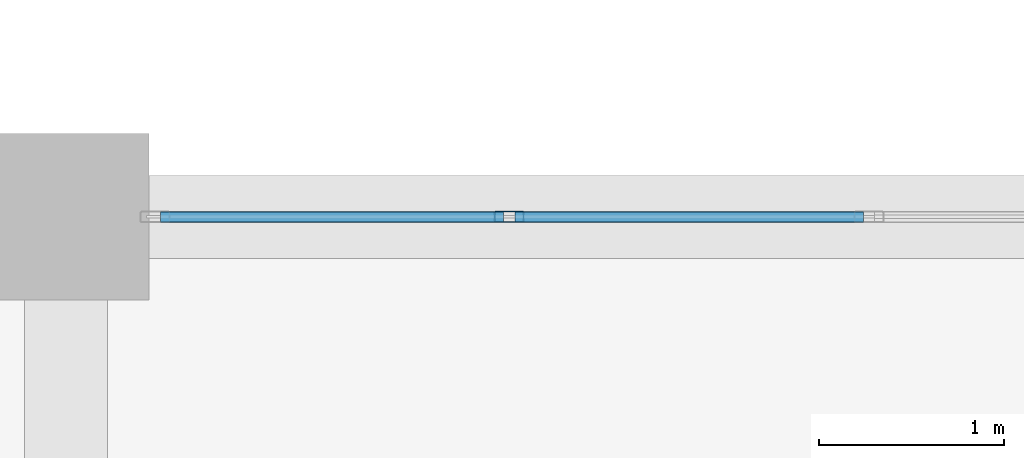
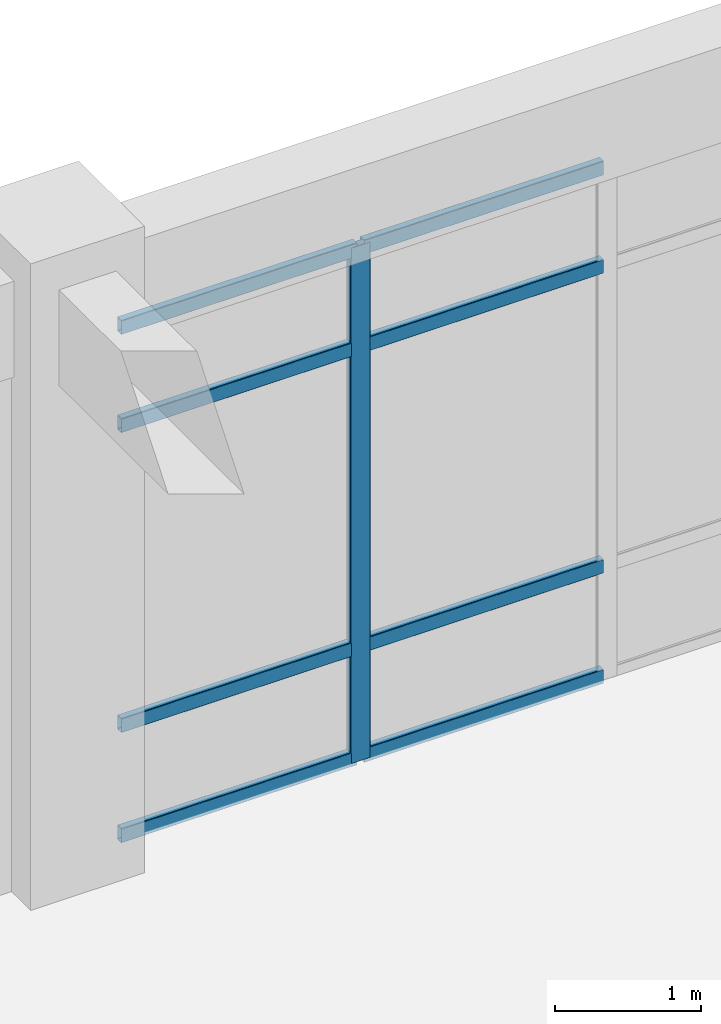
# One storey, part 64 of 114: 9 members, 1 element without a shape of its own.
"""IFC4 building model written with IfcOpenShell, lengths in metres."""

import ifcopenshell
import ifcopenshell.guid

model = None  # the IFC model being written
_history = None  # IfcOwnerHistory: only IFC2X3 demands one
_inside = {}  # id of a spatial element -> (the spatial element, [elements in it])
_under = {}  # id of a project, library or spatial element -> (it, [spatial elements below it])
_declared = {}  # id of a project -> (the project, [libraries it declares])
_typed = {}  # id of a type object -> (the type object, [elements of that type])
_made_of = {}  # id of a material, layer set ... -> (it, [elements and type objects made of it])


def new_model(schema):
    """Start an empty IFC model of exactly this schema.

    Asked for "IFC4X3", IfcOpenShell would pick the latest addendum, in which some entities
    have other attributes; the version numbers below select the first issue.
    IFC2X3 requires an IfcOwnerHistory on every rooted entity: one is made here for all.
    """
    global model, _history
    if schema == "IFC4X3":
        model = ifcopenshell.file(schema_version=(4, 3, 0, 0))
    else:
        model = ifcopenshell.file(schema=schema)
    _inside.clear()
    _under.clear()
    _declared.clear()
    _typed.clear()
    _made_of.clear()
    _history = None
    if model.schema == "IFC2X3":
        org = make("IfcOrganization", Name="unknown")
        user = make(
            "IfcPersonAndOrganization",
            ThePerson=make("IfcPerson", FamilyName="unknown"),
            TheOrganization=org,
        )
        app = make(
            "IfcApplication",
            ApplicationDeveloper=org,
            Version="unknown",
            ApplicationFullName="unknown",
            ApplicationIdentifier="unknown",
        )
        _history = make(
            "IfcOwnerHistory",
            OwningUser=user,
            OwningApplication=app,
            ChangeAction="ADDED",
            CreationDate=0,
        )
    return model


def make(cls, **values):
    """One entity of the class cls with the attributes given. An attribute that is None is left unset."""
    return model.create_entity(
        cls, **{name: value for name, value in values.items() if value is not None}
    )


def rooted(cls, **values):
    """An entity with a GlobalId (a new one), such as an element, a storey or a relation."""
    return make(cls, GlobalId=ifcopenshell.guid.new(), OwnerHistory=_history, **values)


def si_unit(unit_type, name, prefix=None):
    """IfcSIUnit, for example si_unit("LENGTHUNIT", "METRE", prefix="MILLI")."""
    return make("IfcSIUnit", UnitType=unit_type, Prefix=prefix, Name=name)


def derived_unit(unit_type, elements):
    """IfcDerivedUnit: a product of units, each with its exponent."""
    return make(
        "IfcDerivedUnit",
        Elements=[
            make("IfcDerivedUnitElement", Unit=unit, Exponent=power)
            for unit, power in elements
        ],
        UnitType=unit_type,
    )


def assignment(units):
    """IfcUnitAssignment: the units of a project."""
    return None if units is None else make("IfcUnitAssignment", Units=units)


def point(xyz):
    """IfcCartesianPoint."""
    return None if xyz is None else make("IfcCartesianPoint", Coordinates=xyz)


def direction(xyz):
    """IfcDirection."""
    return None if xyz is None else make("IfcDirection", DirectionRatios=xyz)


def frame(location, z_axis=None, x_axis=None):
    """IfcAxis2Placement3D, a coordinate frame: its origin and axes. An axis left out is left unset."""
    return make(
        "IfcAxis2Placement3D",
        Location=point(location),
        Axis=direction(z_axis),
        RefDirection=direction(x_axis),
    )


def frame_2d(location, x_axis=None):
    """IfcAxis2Placement2D, a coordinate frame in the plane: its origin and x axis."""
    return make(
        "IfcAxis2Placement2D", Location=point(location), RefDirection=direction(x_axis)
    )


def origin():
    """The frame at (0, 0, 0) with its axes left unset."""
    return frame((0.0, 0.0, 0.0))


def origin_2d():
    """The frame at (0, 0) in the plane with its x axis left unset."""
    return frame_2d((0.0, 0.0))


def place(relative_to, where):
    """IfcLocalPlacement: puts the frame where relative to a parent placement (None: the world)."""
    return make(
        "IfcLocalPlacement", PlacementRelTo=relative_to, RelativePlacement=where
    )


def context(
    kind, dimensions, precision=None, world=None, true_north=None, identifier=None
):
    """IfcGeometricRepresentationContext, for example the 3D "Model" context."""
    return make(
        "IfcGeometricRepresentationContext",
        ContextIdentifier=identifier,
        ContextType=kind,
        CoordinateSpaceDimension=dimensions,
        Precision=precision,
        WorldCoordinateSystem=world,
        TrueNorth=true_north,
    )


def subcontext(parent, identifier, kind, view, scale=None):
    """IfcGeometricRepresentationSubContext, for example "Body" below "Model"."""
    return make(
        "IfcGeometricRepresentationSubContext",
        ContextIdentifier=identifier,
        ContextType=kind,
        ParentContext=parent,
        TargetScale=scale,
        TargetView=view,
    )


def project(units=None, contexts=None):
    """IfcProject with its units and contexts."""
    return rooted(
        "IfcProject",
        Name="project",
        RepresentationContexts=contexts,
        UnitsInContext=assignment(units),
    )


def spatial(cls, under=None, at=None, **own):
    """A site, building, storey or space (cls), placed at a placement, below another one or the project."""
    s = rooted(cls, ObjectPlacement=at, **own)
    if under is not None:
        _under.setdefault(under.id(), (under, []))[1].append(s)
    return s


def profile(cls, at=None, kind="AREA", **sizes):
    """A parametric profile (cls). Its sizes go by their IFC names, for example OverallWidth=200.0."""
    return make(cls, ProfileType=kind, Position=at, **sizes)


def hollow_rectangle(**sizes):
    """IfcRectangleHollowProfileDef."""
    return profile("IfcRectangleHollowProfileDef", **sizes)


def extrude(swept, where, along, depth):
    """IfcExtrudedAreaSolid: the profile swept, set in the frame where, extruded along a direction by depth."""
    return make(
        "IfcExtrudedAreaSolid",
        SweptArea=swept,
        Position=where,
        ExtrudedDirection=direction(along),
        Depth=depth,
    )


def shape(context_of_items, identifier, shape_type, items):
    """IfcShapeRepresentation: the items that make up one representation, for example the "Body"."""
    return make(
        "IfcShapeRepresentation",
        ContextOfItems=context_of_items,
        RepresentationIdentifier=identifier,
        RepresentationType=shape_type,
        Items=items,
    )


def material(Name=None, Category=None):
    """IfcMaterial."""
    return make("IfcMaterial", Name=Name, Category=Category)


def layer(
    of_material, thickness, ventilated=None, Name=None, Category=None, Priority=None
):
    """IfcMaterialLayer: one layer of a wall or slab, of a material (None: an air gap)."""
    return make(
        "IfcMaterialLayer",
        Material=of_material,
        LayerThickness=thickness,
        IsVentilated=ventilated,
        Name=Name,
        Category=Category,
        Priority=Priority,
    )


def layer_set(layers, Name=None):
    """IfcMaterialLayerSet."""
    return make("IfcMaterialLayerSet", MaterialLayers=layers, LayerSetName=Name)


def material_profile(
    of_material, cross_section, Name=None, Category=None, Priority=None
):
    """IfcMaterialProfile: a cross section and its material."""
    return make(
        "IfcMaterialProfile",
        Name=Name,
        Material=of_material,
        Profile=cross_section,
        Priority=Priority,
        Category=Category,
    )


def profile_set(profiles, Name=None, composite=None):
    """IfcMaterialProfileSet."""
    return make(
        "IfcMaterialProfileSet",
        Name=Name,
        MaterialProfiles=profiles,
        CompositeProfile=composite,
    )


def made_of(thing, what):
    """Note that an element or type object is made of a material, layer set ...; save() writes the relation."""
    if what is not None:
        _made_of.setdefault(what.id(), (what, []))[1].append(thing)
    return thing


def type_object(cls, material=None, **own):
    """A type object (cls), such as IfcWallType, which elements share."""
    return made_of(rooted(cls, **own), material)


def element(
    cls,
    number,
    at=None,
    inside=None,
    cuts=None,
    type_object=None,
    material=None,
    context=None,
    identifier="Body",
    shape_type=None,
    held_by="IfcProductDefinitionShape",
    body=None,
    shapes=None,
    **own,
):
    """One element of the class cls, such as IfcWall. Its Tag is "e" and its number.

    at: its placement. inside: the storey or other place that contains it. cuts: it is an
    opening in that element (IfcRelVoidsElement). A single representation is given by context,
    identifier, shape_type and body (its items); several are given by shapes. held_by: the class
    of the entity that holds the representations. save() writes the other relations.
    """
    e = rooted(cls, Tag="e%d" % number, ObjectPlacement=at, **own)
    if body is not None:
        shapes = [shape(context, identifier, shape_type, body)]
    if shapes is not None:
        e.Representation = make(held_by, Representations=shapes)
    if inside is not None:
        _inside.setdefault(inside.id(), (inside, []))[1].append(e)
    if cuts is not None:
        rooted(
            "IfcRelVoidsElement", RelatingBuildingElement=cuts, RelatedOpeningElement=e
        )
    if type_object is not None:
        _typed.setdefault(type_object.id(), (type_object, []))[1].append(e)
    return made_of(e, material)


def aggregate(whole, parts):
    """IfcRelAggregates: a whole, such as a stair, and the parts it consists of."""
    return rooted("IfcRelAggregates", RelatingObject=whole, RelatedObjects=parts)


def save(model, path):
    """Write the relations noted so far, then the file.

    IfcRelAggregates (storeys below a building ...), IfcRelContainedInSpatialStructure (elements
    in a storey), IfcRelDefinesByType, IfcRelAssociatesMaterial and IfcRelDeclares: one each for
    every whole, place, type object, material and project.
    """
    for whole, parts in _under.values():
        aggregate(whole, parts)
    for where, things in _inside.values():
        rooted(
            "IfcRelContainedInSpatialStructure",
            RelatedElements=things,
            RelatingStructure=where,
        )
    for kind, things in _typed.values():
        rooted("IfcRelDefinesByType", RelatedObjects=things, RelatingType=kind)
    for what, things in _made_of.values():
        rooted("IfcRelAssociatesMaterial", RelatedObjects=things, RelatingMaterial=what)
    for by, libraries in _declared.values():
        rooted("IfcRelDeclares", RelatingContext=by, RelatedDefinitions=libraries)
    model.write(path)


model = new_model("IFC4")

# Units and contexts
model_context = context("Model", 3, precision=1e-05, world=origin(), true_north=direction((0.0, 1.0)))
body_context = subcontext(model_context, "Body", "Model", "MODEL_VIEW")
ifc_project = project(units=[si_unit("LENGTHUNIT", "METRE"), si_unit("AREAUNIT", "SQUARE_METRE"), si_unit("VOLUMEUNIT", "CUBIC_METRE"), si_unit("PLANEANGLEUNIT", "RADIAN"), si_unit("MASSUNIT", "GRAM", prefix="KILO"), derived_unit("THERMALTRANSMITTANCEUNIT", [(si_unit("MASSUNIT", "GRAM", prefix="KILO"), 1), (si_unit("TIMEUNIT", "SECOND"), -3), (si_unit("THERMODYNAMICTEMPERATUREUNIT", "KELVIN"), -1)])], contexts=[model_context])

# Site, building, storey
site_placement = place(None, origin())
site = spatial("IfcSite", under=ifc_project, at=site_placement, CompositionType="ELEMENT")
building_placement = place(site_placement, origin())
building = spatial("IfcBuilding", under=site, at=building_placement, Name="Qinzheling Arcade Emporium", CompositionType="ELEMENT")
storey_placement = place(building_placement, frame((0.0, 0.0, 6.0)))
storey = spatial("IfcBuildingStorey", under=building, at=storey_placement, Name="L02", CompositionType="ELEMENT", Elevation=6.0)

# Curtain wall, members
ifc_material_1 = material(Name="Anodised aluminium and solar-control double glazing", Category="aluminium")
ifc_layer = layer(ifc_material_1, 0.159912109375, Name="Anodised aluminium and solar-control double glazing", Category="aluminium")
ifc_layer_set = layer_set([ifc_layer], Name="Anodised aluminium and solar-control double glazing")
curtain_wall_type = type_object("IfcCurtainWallType", Name="Food Hall Loggia Curtain Wall", PredefinedType="NOTDEFINED", material=ifc_layer_set)
curtain_wall_placement = place(storey_placement, origin())
curtain_wall = element("IfcCurtainWall", 1, at=curtain_wall_placement, inside=storey, type_object=curtain_wall_type, Name="Curtain Wall CW-L02-127", PredefinedType="NOTDEFINED")
ifc_material_2 = material(Name="Anodised aluminium 6063-T6", Category="aluminium")
ifc_material_profile_1 = material_profile(ifc_material_2, hollow_rectangle(XDim=0.06005859375, YDim=0.159912109375, WallThickness=0.00390625, InnerFilletRadius=0.00390625, OuterFilletRadius=0.008056640625, at=origin_2d()), Name="RHS 160x60x4", Category="aluminium")
ifc_profile_set_1 = profile_set([ifc_material_profile_1], Name="Anodised aluminium 6063-T6")
member_type_1 = type_object("IfcMemberType", Name="Curtain Wall Mullion RHS160x60", PredefinedType="MULLION", material=ifc_profile_set_1)
member_1_placement = place(storey_placement, frame((159.0009765625, 33.60009765625, 0.0), z_axis=(0.0, 0.0, 1.0), x_axis=(0.0, 1.0, 0.0)))
member_1 = element("IfcMember", 2, at=member_1_placement, type_object=member_type_1, Name="CW04 mullion 2", PredefinedType="MULLION", context=body_context, shape_type="SweptSolid", body=[
    extrude(hollow_rectangle(XDim=0.06005859375, YDim=0.159912109375, WallThickness=0.00390625, InnerFilletRadius=0.00390625, OuterFilletRadius=0.008056640625, at=origin_2d()), origin(), (0.0, 0.0, 1.0), 4.304931640625),
])
ifc_material_profile_2 = material_profile(ifc_material_2, hollow_rectangle(XDim=0.06005859375, YDim=0.1201171875, WallThickness=0.00390625, InnerFilletRadius=0.00390625, OuterFilletRadius=0.008056640625, at=origin_2d()), Name="RHS 120x60x4", Category="aluminium")
ifc_profile_set_2 = profile_set([ifc_material_profile_2], Name="Anodised aluminium 6063-T6")
member_type_2 = type_object("IfcMemberType", Name="Curtain Wall Transom RHS120x60", PredefinedType="USERDEFINED", material=ifc_profile_set_2)
member_2_placement = place(storey_placement, frame((157.112060546875, 33.60009765625, 0.030029296875), z_axis=(1.0, 0.0, 0.0), x_axis=(0.0, 1.0, 0.0)))
member_2 = element("IfcMember", 3, at=member_2_placement, type_object=member_type_2, Name="CW04 transom 1.1", ObjectType="TRANSOM", PredefinedType="USERDEFINED", context=body_context, shape_type="SweptSolid", body=[
    extrude(hollow_rectangle(XDim=0.06005859375, YDim=0.1201171875, WallThickness=0.00390625, InnerFilletRadius=0.00390625, OuterFilletRadius=0.008056640625, at=origin_2d()), origin(), (0.0, 0.0, 1.0), 1.85888671875),
])
member_3_placement = place(storey_placement, frame((157.112060546875, 33.60009765625, 0.949951171875), z_axis=(1.0, 0.0, 0.0), x_axis=(0.0, 1.0, 0.0)))
member_3 = element("IfcMember", 4, at=member_3_placement, type_object=member_type_2, Name="CW04 transom 1.2", ObjectType="TRANSOM", PredefinedType="USERDEFINED", context=body_context, shape_type="SweptSolid", body=[
    extrude(hollow_rectangle(XDim=0.06005859375, YDim=0.1201171875, WallThickness=0.00390625, InnerFilletRadius=0.00390625, OuterFilletRadius=0.008056640625, at=origin_2d()), origin(), (0.0, 0.0, 1.0), 1.85888671875),
])
member_4_placement = place(storey_placement, frame((157.112060546875, 33.60009765625, 3.455078125), z_axis=(1.0, 0.0, 0.0), x_axis=(0.0, 1.0, 0.0)))
member_4 = element("IfcMember", 5, at=member_4_placement, type_object=member_type_2, Name="CW04 transom 1.3", ObjectType="TRANSOM", PredefinedType="USERDEFINED", context=body_context, shape_type="SweptSolid", body=[
    extrude(hollow_rectangle(XDim=0.06005859375, YDim=0.1201171875, WallThickness=0.00390625, InnerFilletRadius=0.00390625, OuterFilletRadius=0.008056640625, at=origin_2d()), origin(), (0.0, 0.0, 1.0), 1.85888671875),
])
member_5_placement = place(storey_placement, frame((157.112060546875, 33.60009765625, 4.27490234375), z_axis=(1.0, 0.0, 0.0), x_axis=(0.0, 1.0, 0.0)))
member_5 = element("IfcMember", 6, at=member_5_placement, type_object=member_type_2, Name="CW04 transom 1.4", ObjectType="TRANSOM", PredefinedType="USERDEFINED", context=body_context, shape_type="SweptSolid", body=[
    extrude(hollow_rectangle(XDim=0.06005859375, YDim=0.1201171875, WallThickness=0.00390625, InnerFilletRadius=0.00390625, OuterFilletRadius=0.008056640625, at=origin_2d()), origin(), (0.0, 0.0, 1.0), 1.85888671875),
])
member_6_placement = place(storey_placement, frame((159.031005859375, 33.60009765625, 0.030029296875), z_axis=(1.0, 0.0, 0.0), x_axis=(0.0, 1.0, 0.0)))
member_6 = element("IfcMember", 7, at=member_6_placement, type_object=member_type_2, Name="CW04 transom 2.1", ObjectType="TRANSOM", PredefinedType="USERDEFINED", context=body_context, shape_type="SweptSolid", body=[
    extrude(hollow_rectangle(XDim=0.06005859375, YDim=0.1201171875, WallThickness=0.00390625, InnerFilletRadius=0.00390625, OuterFilletRadius=0.008056640625, at=origin_2d()), origin(), (0.0, 0.0, 1.0), 1.888916015625),
])
member_7_placement = place(storey_placement, frame((159.031005859375, 33.60009765625, 0.949951171875), z_axis=(1.0, 0.0, 0.0), x_axis=(0.0, 1.0, 0.0)))
member_7 = element("IfcMember", 8, at=member_7_placement, type_object=member_type_2, Name="CW04 transom 2.2", ObjectType="TRANSOM", PredefinedType="USERDEFINED", context=body_context, shape_type="SweptSolid", body=[
    extrude(hollow_rectangle(XDim=0.06005859375, YDim=0.1201171875, WallThickness=0.00390625, InnerFilletRadius=0.00390625, OuterFilletRadius=0.008056640625, at=origin_2d()), origin(), (0.0, 0.0, 1.0), 1.888916015625),
])
member_8_placement = place(storey_placement, frame((159.031005859375, 33.60009765625, 3.455078125), z_axis=(1.0, 0.0, 0.0), x_axis=(0.0, 1.0, 0.0)))
member_8 = element("IfcMember", 9, at=member_8_placement, type_object=member_type_2, Name="CW04 transom 2.3", ObjectType="TRANSOM", PredefinedType="USERDEFINED", context=body_context, shape_type="SweptSolid", body=[
    extrude(hollow_rectangle(XDim=0.06005859375, YDim=0.1201171875, WallThickness=0.00390625, InnerFilletRadius=0.00390625, OuterFilletRadius=0.008056640625, at=origin_2d()), origin(), (0.0, 0.0, 1.0), 1.888916015625),
])
member_9_placement = place(storey_placement, frame((159.031005859375, 33.60009765625, 4.27490234375), z_axis=(1.0, 0.0, 0.0), x_axis=(0.0, 1.0, 0.0)))
member_9 = element("IfcMember", 10, at=member_9_placement, type_object=member_type_2, Name="CW04 transom 2.4", ObjectType="TRANSOM", PredefinedType="USERDEFINED", context=body_context, shape_type="SweptSolid", body=[
    extrude(hollow_rectangle(XDim=0.06005859375, YDim=0.1201171875, WallThickness=0.00390625, InnerFilletRadius=0.00390625, OuterFilletRadius=0.008056640625, at=origin_2d()), origin(), (0.0, 0.0, 1.0), 1.888916015625),
])
aggregate(curtain_wall, [member_1, member_2, member_3, member_4, member_5, member_6, member_7, member_8, member_9])

save(model, "model.ifc")
